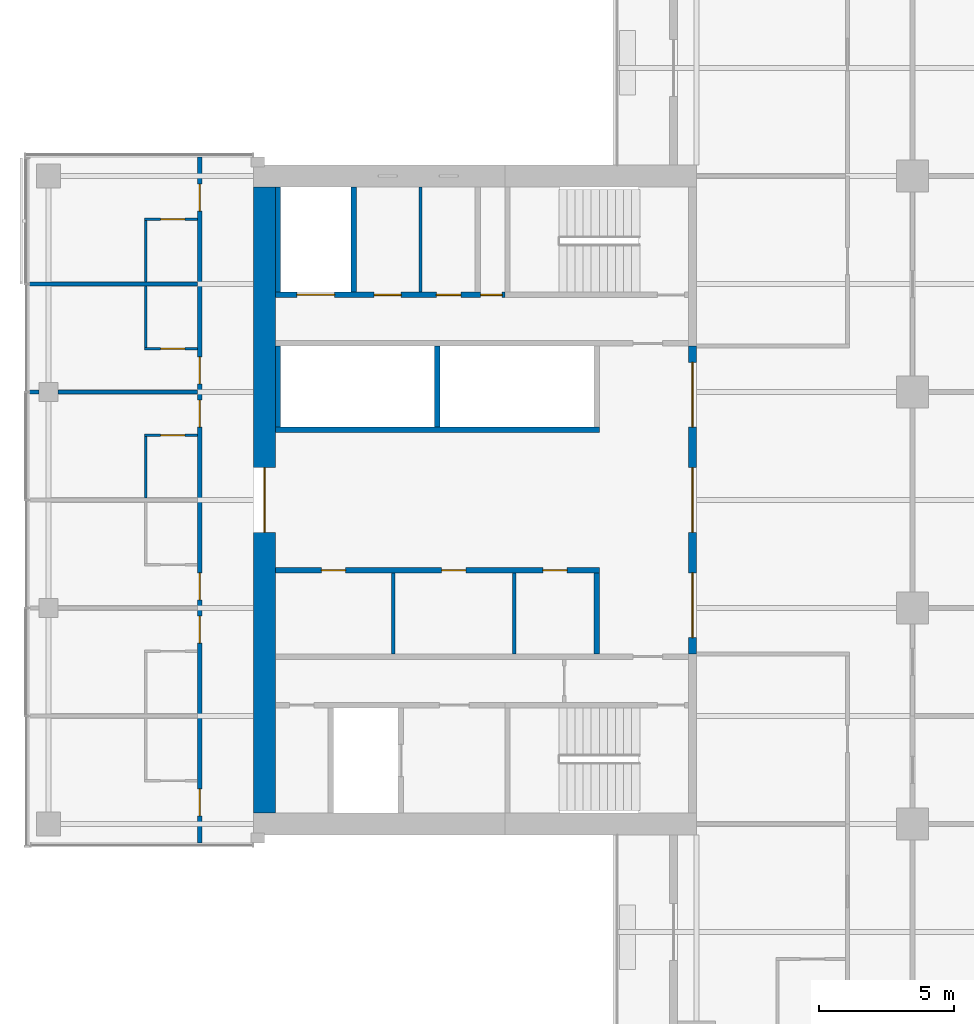
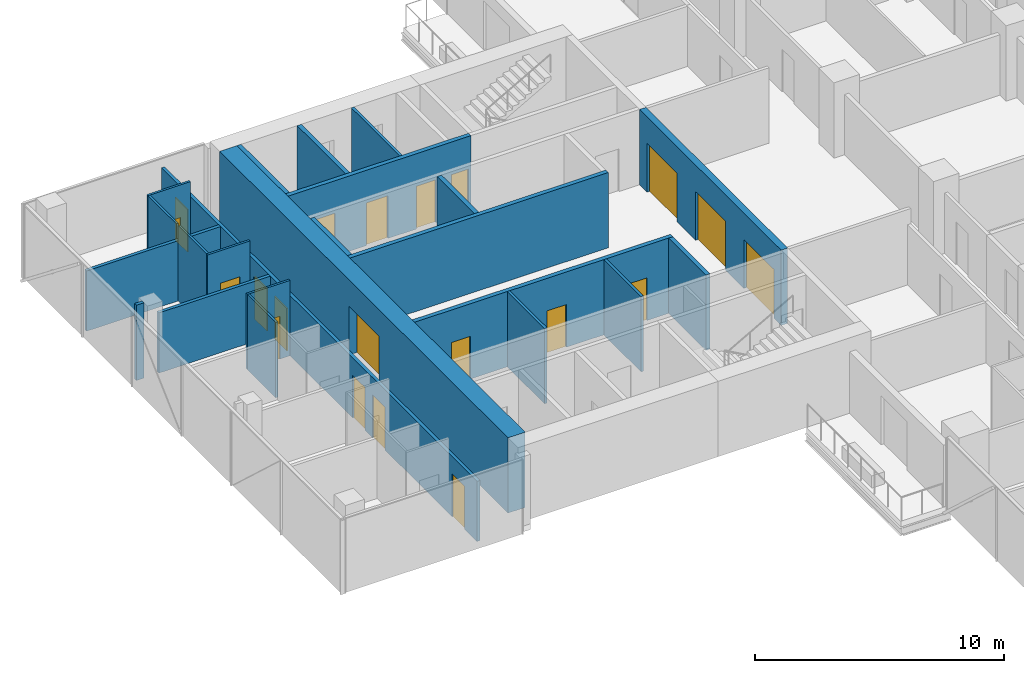
# One storey, part 18 of 27: 23 walls, 20 doors, 20 openings.
"""IFC4 building model written with IfcOpenShell, lengths in metres."""

from ifc_helpers import new_model, si_unit, direction, frame, frame_2d, origin, place, context, subcontext, project, spatial, rectangle, extrude, material, layer, layer_set, type_object, element, fill, save


model = new_model("IFC4")

# Units and contexts
model_context = context("Model", 3, precision=1e-05, world=origin(), true_north=direction((0.0, 1.0)))
body_context = subcontext(model_context, "Body", "Model", "MODEL_VIEW")
ifc_project = project(units=[si_unit("LENGTHUNIT", "METRE"), si_unit("AREAUNIT", "SQUARE_METRE"), si_unit("VOLUMEUNIT", "CUBIC_METRE"), si_unit("PLANEANGLEUNIT", "RADIAN"), si_unit("MASSUNIT", "GRAM", prefix="KILO")], contexts=[model_context])

# Site, building, storey
site_placement = place(None, origin())
site = spatial("IfcSite", under=ifc_project, at=site_placement, CompositionType="ELEMENT")
building_placement = place(site_placement, origin())
building = spatial("IfcBuilding", under=site, at=building_placement, Name="Crosswind Convention Tower", CompositionType="ELEMENT")
storey_placement = place(building_placement, frame((0.0, 0.0, 68.300048828125)))
storey = spatial("IfcBuildingStorey", under=building, at=storey_placement, Name="L11", CompositionType="ELEMENT", Elevation=68.300048828125)

# Wall, opening, door
ifc_material_1 = material(Name="Concrete C60/75", Category="concrete")
ifc_layer_1 = layer(ifc_material_1, 0.800048828125)
ifc_layer_set_1 = layer_set([ifc_layer_1], Name="Concrete C60/75")
wall_type_1 = type_object("IfcWallType", Name="Concrete core wall 800", PredefinedType="SHEAR", material=ifc_layer_set_1)
wall_1_placement = place(storey_placement, frame((97.0, 111.60009765625, 0.0), z_axis=(0.0, 0.0, 1.0), x_axis=(0.0, -1.0, 0.0)))
wall_1 = element("IfcWall", 1, at=wall_1_placement, inside=storey, type_object=wall_type_1, Name="Wall O W L11", PredefinedType="SHEAR", context=body_context, shape_type="SweptSolid", body=[
    extrude(rectangle(XDim=23.2001953125, YDim=0.800048828125, at=frame_2d((11.60009765625, 0.0))), origin(), (0.0, 0.0, 1.0), 3.699951171875),
])
opening_1_placement = place(wall_1_placement, frame((10.39990234375, 0.0, 0.0)))
opening_1 = element("IfcOpeningElement", 2, at=opening_1_placement, cuts=wall_1, Name="Opening D100", PredefinedType="OPENING", context=body_context, shape_type="SweptSolid", body=[
    extrude(rectangle(XDim=2.39990234375, YDim=2.39990234375, at=frame_2d((1.199951171875, 1.199951171875))), frame((0.0, 0.409912109375, 0.0), z_axis=(0.0, -1.0, 0.0), x_axis=(1.0, 0.0, 0.0)), (0.0, 0.0, 1.0), 0.820068359375),
])
ifc_material_2 = material(Name="Steel fire door with glazed vision panels", Category="steel")
door_type_1 = type_object("IfcDoorType", Name="Fire-rated double door 2400x2400", OperationType="DOUBLE_DOOR_SINGLE_SWING", PredefinedType="DOOR", material=ifc_material_2)
door_1_placement = place(opening_1_placement, origin())
door_1 = element("IfcDoor", 3, at=door_1_placement, inside=storey, type_object=door_type_1, Name="Lobby outer door L11", ObjectType="D100", OperationType="DOUBLE_DOOR_SINGLE_SWING", OverallHeight=2.39990234375, OverallWidth=2.39990234375, PredefinedType="DOOR", context=body_context, shape_type="SweptSolid", body=[
    extrude(rectangle(XDim=2.39990234375, YDim=2.39990234375, at=frame_2d((1.199951171875, 1.199951171875))), frame((0.0, 0.02490234375, 0.0), z_axis=(0.0, -1.0, 0.0), x_axis=(1.0, 0.0, 0.0)), (0.0, 0.0, 1.0), 0.050048828125),
])
fill(opening_1, door_1)

# Wall, openings, doors
ifc_material_3 = material(Name="Concrete C50/60", Category="concrete")
ifc_layer_2 = layer(ifc_material_3, 0.300048828125)
ifc_layer_set_2 = layer_set([ifc_layer_2], Name="Concrete C50/60")
wall_type_2 = type_object("IfcWallType", Name="Concrete inner core wall 300", PredefinedType="SHEAR", material=ifc_layer_set_2)
wall_2_placement = place(storey_placement, frame((112.85009765625, 105.699951171875, 0.0), z_axis=(0.0, 0.0, 1.0), x_axis=(0.0, -1.0, 0.0)))
wall_2 = element("IfcWall", 4, at=wall_2_placement, inside=storey, type_object=wall_type_2, Name="Wall SCR W L11", PredefinedType="SHEAR", context=body_context, shape_type="SweptSolid", body=[
    extrude(rectangle(XDim=11.39990234375, YDim=0.300048828125, at=frame_2d((5.699951171875, 0.0))), origin(), (0.0, 0.0, 1.0), 3.699951171875),
])
opening_2_placement = place(wall_2_placement, frame((0.60009765625, 0.0, 0.0)))
opening_2 = element("IfcOpeningElement", 5, at=opening_2_placement, cuts=wall_2, Name="Opening D100", PredefinedType="OPENING", context=body_context, shape_type="SweptSolid", body=[
    extrude(rectangle(XDim=2.39990234375, YDim=2.39990234375, at=frame_2d((1.199951171875, 1.199951171875))), frame((0.0, 0.159912109375, 0.0), z_axis=(0.0, -1.0, 0.0), x_axis=(1.0, 0.0, 0.0)), (0.0, 0.0, 1.0), 0.320068359375),
])
opening_3_placement = place(wall_2_placement, frame((4.5, 0.0, 0.0)))
opening_3 = element("IfcOpeningElement", 6, at=opening_3_placement, cuts=wall_2, Name="Opening D100", PredefinedType="OPENING", context=body_context, shape_type="SweptSolid", body=[
    extrude(rectangle(XDim=2.39990234375, YDim=2.39990234375, at=frame_2d((1.199951171875, 1.199951171875))), frame((0.0, 0.159912109375, 0.0), z_axis=(0.0, -1.0, 0.0), x_axis=(1.0, 0.0, 0.0)), (0.0, 0.0, 1.0), 0.320068359375),
])
opening_4_placement = place(wall_2_placement, frame((8.39990234375, 0.0, 0.0)))
opening_4 = element("IfcOpeningElement", 7, at=opening_4_placement, cuts=wall_2, Name="Opening D100", PredefinedType="OPENING", context=body_context, shape_type="SweptSolid", body=[
    extrude(rectangle(XDim=2.39990234375, YDim=2.39990234375, at=frame_2d((1.199951171875, 1.199951171875))), frame((0.0, 0.159912109375, 0.0), z_axis=(0.0, -1.0, 0.0), x_axis=(1.0, 0.0, 0.0)), (0.0, 0.0, 1.0), 0.320068359375),
])
door_2_placement = place(opening_2_placement, origin())
door_2 = element("IfcDoor", 8, at=door_2_placement, inside=storey, type_object=door_type_1, Name="Lobby door 1 L11", ObjectType="D100", OperationType="DOUBLE_DOOR_SINGLE_SWING", OverallHeight=2.39990234375, OverallWidth=2.39990234375, PredefinedType="DOOR", context=body_context, shape_type="SweptSolid", body=[
    extrude(rectangle(XDim=2.39990234375, YDim=2.39990234375, at=frame_2d((1.199951171875, 1.199951171875))), frame((0.0, 0.02490234375, 0.0), z_axis=(0.0, -1.0, 0.0), x_axis=(1.0, 0.0, 0.0)), (0.0, 0.0, 1.0), 0.050048828125),
])
fill(opening_2, door_2)
door_3_placement = place(opening_3_placement, origin())
door_3 = element("IfcDoor", 9, at=door_3_placement, inside=storey, type_object=door_type_1, Name="Lobby door 2 L11", ObjectType="D100", OperationType="DOUBLE_DOOR_SINGLE_SWING", OverallHeight=2.39990234375, OverallWidth=2.39990234375, PredefinedType="DOOR", context=body_context, shape_type="SweptSolid", body=[
    extrude(rectangle(XDim=2.39990234375, YDim=2.39990234375, at=frame_2d((1.199951171875, 1.199951171875))), frame((0.0, 0.02490234375, 0.0), z_axis=(0.0, -1.0, 0.0), x_axis=(1.0, 0.0, 0.0)), (0.0, 0.0, 1.0), 0.050048828125),
])
fill(opening_3, door_3)
door_4_placement = place(opening_4_placement, origin())
door_4 = element("IfcDoor", 10, at=door_4_placement, inside=storey, type_object=door_type_1, Name="Lobby door 3 L11", ObjectType="D100", OperationType="DOUBLE_DOOR_SINGLE_SWING", OverallHeight=2.39990234375, OverallWidth=2.39990234375, PredefinedType="DOOR", context=body_context, shape_type="SweptSolid", body=[
    extrude(rectangle(XDim=2.39990234375, YDim=2.39990234375, at=frame_2d((1.199951171875, 1.199951171875))), frame((0.0, 0.02490234375, 0.0), z_axis=(0.0, -1.0, 0.0), x_axis=(1.0, 0.0, 0.0)), (0.0, 0.0, 1.0), 0.050048828125),
])
fill(opening_4, door_4)

# Wall
ifc_layer_3 = layer(ifc_material_3, 0.199951171875)
ifc_layer_set_3 = layer_set([ifc_layer_3], Name="Concrete C50/60")
wall_type_3 = type_object("IfcWallType", Name="Concrete shaft and stair wall 200", PredefinedType="SHEAR", material=ifc_layer_set_3)
wall_3_placement = place(storey_placement, frame((109.300048828125, 97.300048828125, 0.0), z_axis=(0.0, 0.0, 1.0), x_axis=(0.0, -1.0, 0.0)))
element("IfcWall", 11, at=wall_3_placement, inside=storey, type_object=wall_type_3, Name="Wall RPEND W L11", PredefinedType="SHEAR", context=body_context, shape_type="SweptSolid", body=[
    extrude(rectangle(XDim=3.0, YDim=0.199951171875, at=frame_2d((1.5, 0.0))), origin(), (0.0, 0.0, 1.0), 3.699951171875),
])

# Wall, openings, doors
wall_4_placement = place(storey_placement, frame((109.39990234375, 97.39990234375, 0.0), z_axis=(0.0, 0.0, 1.0), x_axis=(-1.0, 0.0, 0.0)))
wall_4 = element("IfcWall", 12, at=wall_4_placement, inside=storey, type_object=wall_type_3, Name="Wall RPFRONT W L11", PredefinedType="SHEAR", context=body_context, shape_type="SweptSolid", body=[
    extrude(rectangle(XDim=12.0, YDim=0.199951171875, at=frame_2d((6.0, 0.0))), origin(), (0.0, 0.0, 1.0), 3.699951171875),
])
opening_5_placement = place(wall_4_placement, frame((1.19384765625, 0.0, 0.0)))
opening_5 = element("IfcOpeningElement", 13, at=opening_5_placement, cuts=wall_4, Name="Opening D106", PredefinedType="OPENING", context=body_context, shape_type="SweptSolid", body=[
    extrude(rectangle(XDim=0.89990234375, YDim=2.10009765625, at=frame_2d((0.449951171875, 1.050048828125))), frame((0.0, 0.10986328125, 0.0), z_axis=(0.0, -1.0, 0.0), x_axis=(1.0, 0.0, 0.0)), (0.0, 0.0, 1.0), 0.219970703125),
])
opening_6_placement = place(wall_4_placement, frame((4.94189453125, 0.0, 0.0)))
opening_6 = element("IfcOpeningElement", 14, at=opening_6_placement, cuts=wall_4, Name="Opening D106", PredefinedType="OPENING", context=body_context, shape_type="SweptSolid", body=[
    extrude(rectangle(XDim=0.89990234375, YDim=2.10009765625, at=frame_2d((0.449951171875, 1.050048828125))), frame((0.0, 0.10986328125, 0.0), z_axis=(0.0, -1.0, 0.0), x_axis=(1.0, 0.0, 0.0)), (0.0, 0.0, 1.0), 0.219970703125),
])
opening_7_placement = place(wall_4_placement, frame((9.398193359375, 0.0, 0.0)))
opening_7 = element("IfcOpeningElement", 15, at=opening_7_placement, cuts=wall_4, Name="Opening D106", PredefinedType="OPENING", context=body_context, shape_type="SweptSolid", body=[
    extrude(rectangle(XDim=0.89990234375, YDim=2.10009765625, at=frame_2d((0.449951171875, 1.050048828125))), frame((0.0, 0.10986328125, 0.0), z_axis=(0.0, -1.0, 0.0), x_axis=(1.0, 0.0, 0.0)), (0.0, 0.0, 1.0), 0.219970703125),
])
ifc_material_4 = material(Name="Timber door", Category="wood")
door_type_2 = type_object("IfcDoorType", Name="Single leaf door 900x2100", OperationType="NOTDEFINED", PredefinedType="DOOR", material=ifc_material_4)
door_5_placement = place(opening_5_placement, origin())
door_5 = element("IfcDoor", 16, at=door_5_placement, inside=storey, type_object=door_type_2, Name="Door to meeting room L11", ObjectType="D106", OperationType="SINGLE_SWING_RIGHT", OverallHeight=2.10009765625, OverallWidth=0.89990234375, PredefinedType="DOOR", context=body_context, shape_type="SweptSolid", body=[
    extrude(rectangle(XDim=0.89990234375, YDim=2.10009765625, at=frame_2d((0.449951171875, 1.050048828125))), frame((0.0, 0.02490234375, 0.0), z_axis=(0.0, -1.0, 0.0), x_axis=(1.0, 0.0, 0.0)), (0.0, 0.0, 1.0), 0.050048828125),
])
fill(opening_5, door_5)
door_6_placement = place(opening_6_placement, origin())
door_6 = element("IfcDoor", 17, at=door_6_placement, inside=storey, type_object=door_type_2, Name="Door to business centre L11", ObjectType="D106", OperationType="SINGLE_SWING_RIGHT", OverallHeight=2.10009765625, OverallWidth=0.89990234375, PredefinedType="DOOR", context=body_context, shape_type="SweptSolid", body=[
    extrude(rectangle(XDim=0.89990234375, YDim=2.10009765625, at=frame_2d((0.449951171875, 1.050048828125))), frame((0.0, 0.02490234375, 0.0), z_axis=(0.0, -1.0, 0.0), x_axis=(1.0, 0.0, 0.0)), (0.0, 0.0, 1.0), 0.050048828125),
])
fill(opening_6, door_6)
door_7_placement = place(opening_7_placement, origin())
door_7 = element("IfcDoor", 18, at=door_7_placement, inside=storey, type_object=door_type_2, Name="Door to ice and vending room L11", ObjectType="D106", OperationType="SINGLE_SWING_RIGHT", OverallHeight=2.10009765625, OverallWidth=0.89990234375, PredefinedType="DOOR", context=body_context, shape_type="SweptSolid", body=[
    extrude(rectangle(XDim=0.89990234375, YDim=2.10009765625, at=frame_2d((0.449951171875, 1.050048828125))), frame((0.0, 0.02490234375, 0.0), z_axis=(0.0, -1.0, 0.0), x_axis=(1.0, 0.0, 0.0)), (0.0, 0.0, 1.0), 0.050048828125),
])
fill(opening_7, door_7)

# Walls
for number, where, z_axis, x_axis, name in (
    (19, (103.39990234375, 105.699951171875, 0.0), (0.0, 0.0, 1.0), (0.0, -1.0, 0.0), "Wall RMSEP W L11"),
    (20, (97.5, 105.699951171875, 0.0), (0.0, 0.0, 1.0), (0.0, -1.0, 0.0), "Wall RMEAST W L11"),
):
    element("IfcWall", number, at=place(storey_placement, frame(where, z_axis=z_axis, x_axis=x_axis)), inside=storey, type_object=wall_type_3, Name=name, PredefinedType="SHEAR", context=body_context, shape_type="SweptSolid", body=[
        extrude(rectangle(XDim=3.0, YDim=0.199951171875, at=frame_2d((1.5, 0.0))), origin(), (0.0, 0.0, 1.0), 3.699951171875),
    ])
wall_5_placement = place(storey_placement, frame((109.39990234375, 102.60009765625, 0.0), z_axis=(0.0, 0.0, 1.0), x_axis=(-1.0, 0.0, 0.0)))
element("IfcWall", 21, at=wall_5_placement, inside=storey, type_object=wall_type_3, Name="Wall RMFRONT W L11", PredefinedType="SHEAR", context=body_context, shape_type="SweptSolid", body=[
    extrude(rectangle(XDim=12.0, YDim=0.199951171875, at=frame_2d((6.0, 0.0))), origin(), (0.0, 0.0, 1.0), 3.699951171875),
])
for number, where, z_axis, x_axis, name in (
    (22, (100.300048828125, 111.60009765625, 0.0), (0.0, 0.0, 1.0), (0.0, -1.0, 0.0), "Wall MFSW W L11"),
    (23, (97.5, 111.60009765625, 0.0), (0.0, 0.0, 1.0), (0.0, -1.0, 0.0), "Wall MFSE W L11"),
):
    element("IfcWall", number, at=place(storey_placement, frame(where, z_axis=z_axis, x_axis=x_axis)), inside=storey, type_object=wall_type_3, Name=name, PredefinedType="SHEAR", context=body_context, shape_type="SweptSolid", body=[
        extrude(rectangle(XDim=3.900146484375, YDim=0.199951171875, at=frame_2d((1.9501953125, 0.0))), origin(), (0.0, 0.0, 1.0), 3.699951171875),
    ])

# Wall, openings, doors
wall_6_placement = place(storey_placement, frame((105.89990234375, 107.60009765625, 0.0), z_axis=(0.0, 0.0, 1.0), x_axis=(-1.0, 0.0, 0.0)))
wall_6 = element("IfcWall", 24, at=wall_6_placement, inside=storey, type_object=wall_type_3, Name="Wall MCX W L11", PredefinedType="SHEAR", context=body_context, shape_type="SweptSolid", body=[
    extrude(rectangle(XDim=8.5, YDim=0.199951171875, at=frame_2d((4.25, 0.0))), origin(), (0.0, 0.0, 1.0), 3.699951171875),
])
opening_8_placement = place(wall_6_placement, frame((0.10009765625, 0.0, 0.0)))
opening_8 = element("IfcOpeningElement", 25, at=opening_8_placement, cuts=wall_6, Name="Opening D105", PredefinedType="OPENING", context=body_context, shape_type="SweptSolid", body=[
    extrude(rectangle(XDim=0.800048828125, YDim=2.10009765625, at=frame_2d((0.39990234375, 1.050048828125))), frame((0.0, 0.10986328125, 0.0), z_axis=(0.0, -1.0, 0.0), x_axis=(1.0, 0.0, 0.0)), (0.0, 0.0, 1.0), 0.219970703125),
])
opening_9_placement = place(wall_6_placement, frame((1.630859375, 0.0, 0.0)))
opening_9 = element("IfcOpeningElement", 26, at=opening_9_placement, cuts=wall_6, Name="Opening D106", PredefinedType="OPENING", context=body_context, shape_type="SweptSolid", body=[
    extrude(rectangle(XDim=0.89990234375, YDim=2.10009765625, at=frame_2d((0.449951171875, 1.050048828125))), frame((0.0, 0.10986328125, 0.0), z_axis=(0.0, -1.0, 0.0), x_axis=(1.0, 0.0, 0.0)), (0.0, 0.0, 1.0), 0.219970703125),
])
opening_10_placement = place(wall_6_placement, frame((3.84326171875, 0.0, 0.0)))
opening_10 = element("IfcOpeningElement", 27, at=opening_10_placement, cuts=wall_6, Name="Opening D103", PredefinedType="OPENING", context=body_context, shape_type="SweptSolid", body=[
    extrude(rectangle(XDim=1.0, YDim=2.10009765625, at=frame_2d((0.5, 1.050048828125))), frame((0.0, 0.10986328125, 0.0), z_axis=(0.0, -1.0, 0.0), x_axis=(1.0, 0.0, 0.0)), (0.0, 0.0, 1.0), 0.219970703125),
])
opening_11_placement = place(wall_6_placement, frame((6.300048828125, 0.0, 0.0)))
opening_11 = element("IfcOpeningElement", 28, at=opening_11_placement, cuts=wall_6, Name="Opening LD2", PredefinedType="OPENING", context=body_context, shape_type="SweptSolid", body=[
    extrude(rectangle(XDim=1.39990234375, YDim=2.10009765625, at=frame_2d((0.699951171875, 1.050048828125))), frame((0.0, 0.10986328125, 0.0), z_axis=(0.0, -1.0, 0.0), x_axis=(1.0, 0.0, 0.0)), (0.0, 0.0, 1.0), 0.219970703125),
])
ifc_material_5 = material(Name="Steel fire door", Category="steel")
door_type_3 = type_object("IfcDoorType", Name="Fire-rated single door 1000x2100", OperationType="NOTDEFINED", PredefinedType="DOOR", material=ifc_material_5)
door_8_placement = place(opening_10_placement, frame((1.0, 0.0, 0.0), z_axis=(0.0, 0.0, 1.0), x_axis=(-1.0, 0.0, 0.0)))
door_8 = element("IfcDoor", 29, at=door_8_placement, inside=storey, type_object=door_type_3, Name="Door to accessible wc L11", ObjectType="D103", OperationType="SINGLE_SWING_LEFT", OverallHeight=2.10009765625, OverallWidth=1.0, PredefinedType="DOOR", context=body_context, shape_type="SweptSolid", body=[
    extrude(rectangle(XDim=1.0, YDim=2.10009765625, at=frame_2d((0.5, 1.050048828125))), frame((0.0, 0.02490234375, 0.0), z_axis=(0.0, -1.0, 0.0), x_axis=(1.0, 0.0, 0.0)), (0.0, 0.0, 1.0), 0.050048828125),
])
fill(opening_10, door_8)
ifc_material_6 = material(Name="Stainless steel", Category="steel")
door_type_4 = type_object("IfcDoorType", Name="Lift landing door 1400x2100", OperationType="DOUBLE_DOOR_SLIDING", PredefinedType="DOOR", material=ifc_material_6)
door_9_placement = place(opening_11_placement, origin())
door_9 = element("IfcDoor", 30, at=door_9_placement, inside=storey, type_object=door_type_4, Name="Landing door SV2 L11", ObjectType="LD2", OperationType="DOUBLE_DOOR_SLIDING", OverallHeight=2.10009765625, OverallWidth=1.39990234375, PredefinedType="DOOR", context=body_context, shape_type="SweptSolid", body=[
    extrude(rectangle(XDim=1.39990234375, YDim=2.10009765625, at=frame_2d((0.699951171875, 1.050048828125))), frame((0.0, 0.02490234375, 0.0), z_axis=(0.0, -1.0, 0.0), x_axis=(1.0, 0.0, 0.0)), (0.0, 0.0, 1.0), 0.050048828125),
])
fill(opening_11, door_9)
door_type_5 = type_object("IfcDoorType", Name="Riser access door 800x2100", OperationType="NOTDEFINED", PredefinedType="DOOR", material=ifc_material_5)
door_10_placement = place(opening_8_placement, frame((0.800048828125, 0.0, 0.0), z_axis=(0.0, 0.0, 1.0), x_axis=(-1.0, 0.0, 0.0)))
door_10 = element("IfcDoor", 31, at=door_10_placement, inside=storey, type_object=door_type_5, Name="Riser door L11", ObjectType="D105", OperationType="SINGLE_SWING_LEFT", OverallHeight=2.10009765625, OverallWidth=0.800048828125, PredefinedType="DOOR", context=body_context, shape_type="SweptSolid", body=[
    extrude(rectangle(XDim=0.800048828125, YDim=2.10009765625, at=frame_2d((0.39990234375, 1.050048828125))), frame((0.0, 0.02490234375, 0.0), z_axis=(0.0, -1.0, 0.0), x_axis=(1.0, 0.0, 0.0)), (0.0, 0.0, 1.0), 0.050048828125),
])
fill(opening_8, door_10)
door_11_placement = place(opening_9_placement, frame((0.89990234375, 0.0, 0.0), z_axis=(0.0, 0.0, 1.0), x_axis=(-1.0, 0.0, 0.0)))
door_11 = element("IfcDoor", 32, at=door_11_placement, inside=storey, type_object=door_type_2, Name="Door to wc L11", ObjectType="D106", OperationType="SINGLE_SWING_LEFT", OverallHeight=2.10009765625, OverallWidth=0.89990234375, PredefinedType="DOOR", context=body_context, shape_type="SweptSolid", body=[
    extrude(rectangle(XDim=0.89990234375, YDim=2.10009765625, at=frame_2d((0.449951171875, 1.050048828125))), frame((0.0, 0.02490234375, 0.0), z_axis=(0.0, -1.0, 0.0), x_axis=(1.0, 0.0, 0.0)), (0.0, 0.0, 1.0), 0.050048828125),
])
fill(opening_9, door_11)

# Walls
ifc_material_7 = material(Name="Gypsum plasterboard partition", Category="gypsum")
ifc_layer_4 = layer(ifc_material_7, 0.125)
ifc_layer_set_4 = layer_set([ifc_layer_4], Name="Drywall partition wall 125")
wall_type_4 = type_object("IfcWallType", Name="Drywall partition wall 125", PredefinedType="PARTITIONING", material=ifc_layer_set_4)
for number, where, z_axis, x_axis, name in (
    (33, (106.25, 97.300048828125, 0.0), (0.0, 0.0, 1.0), (0.0, -1.0, 0.0), "Wall RPP1 W L11"),
    (34, (101.76611328125, 97.300048828125, 0.0), (0.0, 0.0, 1.0), (0.0, -1.0, 0.0), "Wall RPP2 W L11"),
):
    element("IfcWall", number, at=place(storey_placement, frame(where, z_axis=z_axis, x_axis=x_axis)), inside=storey, type_object=wall_type_4, Name=name, PredefinedType="PARTITIONING", context=body_context, shape_type="SweptSolid", body=[
        extrude(rectangle(XDim=3.0, YDim=0.125, at=frame_2d((1.5, 0.0))), origin(), (0.0, 0.0, 1.0), 3.699951171875),
    ])
wall_7_placement = place(storey_placement, frame((102.77587890625, 111.60009765625, 0.0), z_axis=(0.0, 0.0, 1.0), x_axis=(0.0, -1.0, 0.0)))
element("IfcWall", 35, at=wall_7_placement, inside=storey, type_object=wall_type_4, Name="Wall MWP1 W L11", PredefinedType="PARTITIONING", context=body_context, shape_type="SweptSolid", body=[
    extrude(rectangle(XDim=3.900146484375, YDim=0.125, at=frame_2d((1.9501953125, 0.0))), origin(), (0.0, 0.0, 1.0), 3.699951171875),
])
ifc_material_8 = material(Name="Acoustic plasterboard partition", Category="gypsum")
ifc_layer_5 = layer(ifc_material_8, 0.14990234375)
ifc_layer_set_5 = layer_set([ifc_layer_5], Name="GUEST ROOM WALL 150")
wall_type_5 = type_object("IfcWallType", Name="GUEST ROOM WALL 150", PredefinedType="PARTITIONING", material=ifc_layer_set_5)
wall_8_placement = place(storey_placement, frame((88.300048828125, 104.0, 0.0), z_axis=(0.0, 0.0, 1.0), x_axis=(1.0, 0.0, 0.0)))
element("IfcWall", 36, at=wall_8_placement, inside=storey, type_object=wall_type_5, Name="Guest Room Wall 38", PredefinedType="PARTITIONING", context=body_context, shape_type="SweptSolid", body=[
    extrude(rectangle(XDim=0.349853515625, YDim=0.14990234375, at=frame_2d((0.1748046875, 0.0))), origin(), (0.0, 0.0, 1.0), 3.699951171875),
])
wall_9_placement = place(storey_placement, frame((89.35009765625, 104.0, 0.0), z_axis=(0.0, 0.0, 1.0), x_axis=(1.0, 0.0, 0.0)))
element("IfcWall", 37, at=wall_9_placement, inside=storey, type_object=wall_type_5, Name="Guest Room Wall 39", PredefinedType="PARTITIONING", context=body_context, shape_type="SweptSolid", body=[
    extrude(rectangle(XDim=5.1748046875, YDim=0.14990234375, at=frame_2d((2.58740234375, 0.0))), origin(), (0.0, 0.0, 1.0), 2.956298828125),
])
wall_10_placement = place(storey_placement, frame((88.300048828125, 108.0, 0.0), z_axis=(0.0, 0.0, 1.0), x_axis=(1.0, 0.0, 0.0)))
element("IfcWall", 38, at=wall_10_placement, inside=storey, type_object=wall_type_5, Name="Guest Room Wall 47", PredefinedType="PARTITIONING", context=body_context, shape_type="SweptSolid", body=[
    extrude(rectangle(XDim=6.224853515625, YDim=0.14990234375, at=frame_2d((3.1123046875, 0.0))), origin(), (0.0, 0.0, 1.0), 2.962646484375),
])

# Wall, openings, doors
wall_11_placement = place(storey_placement, frame((94.60009765625, 87.300048828125, 0.0), z_axis=(0.0, 0.0, 1.0), x_axis=(0.0, 1.0, 0.0)))
wall_11 = element("IfcWall", 39, at=wall_11_placement, inside=storey, type_object=wall_type_5, Name="Guest Room Wall 74", PredefinedType="PARTITIONING", context=body_context, shape_type="SweptSolid", body=[
    extrude(rectangle(XDim=25.39990234375, YDim=0.14990234375, at=frame_2d((12.699951171875, 0.0))), origin(), (0.0, 0.0, 1.0), 2.956298828125),
])
opening_12_placement = place(wall_11_placement, frame((1.0, 0.0, 0.0)))
opening_12 = element("IfcOpeningElement", 40, at=opening_12_placement, cuts=wall_11, Name="Opening 11.045", PredefinedType="OPENING", context=body_context, shape_type="SweptSolid", body=[
    extrude(rectangle(XDim=1.0, YDim=2.10009765625, at=frame_2d((0.5, 1.050048828125))), frame((0.0, 0.0849609375, 0.0), z_axis=(0.0, -1.0, 0.0), x_axis=(1.0, 0.0, 0.0)), (0.0, 0.0, 1.0), 0.169921875),
])
opening_13_placement = place(wall_11_placement, frame((7.39990234375, 0.0, 0.0)))
opening_13 = element("IfcOpeningElement", 41, at=opening_13_placement, cuts=wall_11, Name="Opening 11.047", PredefinedType="OPENING", context=body_context, shape_type="SweptSolid", body=[
    extrude(rectangle(XDim=1.0, YDim=2.10009765625, at=frame_2d((0.5, 1.050048828125))), frame((0.0, 0.0849609375, 0.0), z_axis=(0.0, -1.0, 0.0), x_axis=(1.0, 0.0, 0.0)), (0.0, 0.0, 1.0), 0.169921875),
])
opening_14_placement = place(wall_11_placement, frame((9.0, 0.0, 0.0)))
opening_14 = element("IfcOpeningElement", 42, at=opening_14_placement, cuts=wall_11, Name="Opening 11.049", PredefinedType="OPENING", context=body_context, shape_type="SweptSolid", body=[
    extrude(rectangle(XDim=1.0, YDim=2.10009765625, at=frame_2d((0.5, 1.050048828125))), frame((0.0, 0.0849609375, 0.0), z_axis=(0.0, -1.0, 0.0), x_axis=(1.0, 0.0, 0.0)), (0.0, 0.0, 1.0), 0.169921875),
])
opening_15_placement = place(wall_11_placement, frame((15.39990234375, 0.0, 0.0)))
opening_15 = element("IfcOpeningElement", 43, at=opening_15_placement, cuts=wall_11, Name="Opening 11.051", PredefinedType="OPENING", context=body_context, shape_type="SweptSolid", body=[
    extrude(rectangle(XDim=1.0, YDim=2.10009765625, at=frame_2d((0.5, 1.050048828125))), frame((0.0, 0.0849609375, 0.0), z_axis=(0.0, -1.0, 0.0), x_axis=(1.0, 0.0, 0.0)), (0.0, 0.0, 1.0), 0.169921875),
])
opening_16_placement = place(wall_11_placement, frame((17.0, 0.0, 0.0)))
opening_16 = element("IfcOpeningElement", 44, at=opening_16_placement, cuts=wall_11, Name="Opening 11.053", PredefinedType="OPENING", context=body_context, shape_type="SweptSolid", body=[
    extrude(rectangle(XDim=1.0, YDim=2.10009765625, at=frame_2d((0.5, 1.050048828125))), frame((0.0, 0.0849609375, 0.0), z_axis=(0.0, -1.0, 0.0), x_axis=(1.0, 0.0, 0.0)), (0.0, 0.0, 1.0), 0.169921875),
])
opening_17_placement = place(wall_11_placement, frame((23.39990234375, 0.0, 0.0)))
opening_17 = element("IfcOpeningElement", 45, at=opening_17_placement, cuts=wall_11, Name="Opening 11.055", PredefinedType="OPENING", context=body_context, shape_type="SweptSolid", body=[
    extrude(rectangle(XDim=1.0, YDim=2.10009765625, at=frame_2d((0.5, 1.050048828125))), frame((0.0, 0.0849609375, 0.0), z_axis=(0.0, -1.0, 0.0), x_axis=(1.0, 0.0, 0.0)), (0.0, 0.0, 1.0), 0.169921875),
])
ifc_material_9 = material(Name="Timber fire door", Category="wood")
door_type_6 = type_object("IfcDoorType", Name="GUEST ROOM DOOR 1000X2100", OperationType="NOTDEFINED", PredefinedType="DOOR", material=ifc_material_9)
door_12_placement = place(opening_12_placement, origin())
door_12 = element("IfcDoor", 46, at=door_12_placement, inside=storey, type_object=door_type_6, Name="Door 11.045", ObjectType="D1", OperationType="SINGLE_SWING_RIGHT", OverallHeight=2.10009765625, OverallWidth=1.0, PredefinedType="DOOR", context=body_context, shape_type="SweptSolid", body=[
    extrude(rectangle(XDim=1.0, YDim=2.10009765625, at=frame_2d((0.5, 1.050048828125))), frame((0.0, 0.02490234375, 0.0), z_axis=(0.0, -1.0, 0.0), x_axis=(1.0, 0.0, 0.0)), (0.0, 0.0, 1.0), 0.050048828125),
])
fill(opening_12, door_12)
door_13_placement = place(opening_13_placement, origin())
door_13 = element("IfcDoor", 47, at=door_13_placement, inside=storey, type_object=door_type_6, Name="Door 11.047", ObjectType="D1", OperationType="SINGLE_SWING_RIGHT", OverallHeight=2.10009765625, OverallWidth=1.0, PredefinedType="DOOR", context=body_context, shape_type="SweptSolid", body=[
    extrude(rectangle(XDim=1.0, YDim=2.10009765625, at=frame_2d((0.5, 1.050048828125))), frame((0.0, 0.02490234375, 0.0), z_axis=(0.0, -1.0, 0.0), x_axis=(1.0, 0.0, 0.0)), (0.0, 0.0, 1.0), 0.050048828125),
])
fill(opening_13, door_13)
door_14_placement = place(opening_14_placement, origin())
door_14 = element("IfcDoor", 48, at=door_14_placement, inside=storey, type_object=door_type_6, Name="Door 11.049", ObjectType="D1", OperationType="SINGLE_SWING_RIGHT", OverallHeight=2.10009765625, OverallWidth=1.0, PredefinedType="DOOR", context=body_context, shape_type="SweptSolid", body=[
    extrude(rectangle(XDim=1.0, YDim=2.10009765625, at=frame_2d((0.5, 1.050048828125))), frame((0.0, 0.02490234375, 0.0), z_axis=(0.0, -1.0, 0.0), x_axis=(1.0, 0.0, 0.0)), (0.0, 0.0, 1.0), 0.050048828125),
])
fill(opening_14, door_14)
door_15_placement = place(opening_15_placement, origin())
door_15 = element("IfcDoor", 49, at=door_15_placement, inside=storey, type_object=door_type_6, Name="Door 11.051", ObjectType="D1", OperationType="SINGLE_SWING_RIGHT", OverallHeight=2.10009765625, OverallWidth=1.0, PredefinedType="DOOR", context=body_context, shape_type="SweptSolid", body=[
    extrude(rectangle(XDim=1.0, YDim=2.10009765625, at=frame_2d((0.5, 1.050048828125))), frame((0.0, 0.02490234375, 0.0), z_axis=(0.0, -1.0, 0.0), x_axis=(1.0, 0.0, 0.0)), (0.0, 0.0, 1.0), 0.050048828125),
])
fill(opening_15, door_15)
door_16_placement = place(opening_16_placement, origin())
door_16 = element("IfcDoor", 50, at=door_16_placement, inside=storey, type_object=door_type_6, Name="Door 11.053", ObjectType="D1", OperationType="SINGLE_SWING_RIGHT", OverallHeight=2.10009765625, OverallWidth=1.0, PredefinedType="DOOR", context=body_context, shape_type="SweptSolid", body=[
    extrude(rectangle(XDim=1.0, YDim=2.10009765625, at=frame_2d((0.5, 1.050048828125))), frame((0.0, 0.02490234375, 0.0), z_axis=(0.0, -1.0, 0.0), x_axis=(1.0, 0.0, 0.0)), (0.0, 0.0, 1.0), 0.050048828125),
])
fill(opening_16, door_16)
door_17_placement = place(opening_17_placement, origin())
door_17 = element("IfcDoor", 51, at=door_17_placement, inside=storey, type_object=door_type_6, Name="Door 11.055", ObjectType="D1", OperationType="SINGLE_SWING_LEFT", OverallHeight=2.10009765625, OverallWidth=1.0, PredefinedType="DOOR", context=body_context, shape_type="SweptSolid", body=[
    extrude(rectangle(XDim=1.0, YDim=2.10009765625, at=frame_2d((0.5, 1.050048828125))), frame((0.0, 0.02490234375, 0.0), z_axis=(0.0, -1.0, 0.0), x_axis=(1.0, 0.0, 0.0)), (0.0, 0.0, 1.0), 0.050048828125),
])
fill(opening_17, door_17)

# Wall, opening, door
ifc_material_10 = material(Name="Water-resistant plasterboard partition", Category="gypsum")
ifc_layer_6 = layer(ifc_material_10, 0.10009765625)
ifc_layer_set_6 = layer_set([ifc_layer_6], Name="WET ROOM PARTITION 100")
wall_type_6 = type_object("IfcWallType", Name="WET ROOM PARTITION 100", PredefinedType="PLUMBINGWALL", material=ifc_layer_set_6)
wall_12_placement = place(storey_placement, frame((92.550048828125, 102.39990234375, 0.0), z_axis=(0.0, 0.0, 1.0), x_axis=(1.0, 0.0, 0.0)))
wall_12 = element("IfcWall", 52, at=wall_12_placement, inside=storey, type_object=wall_type_6, Name="Wet Room Partition 37", PredefinedType="PLUMBINGWALL", context=body_context, shape_type="SweptSolid", body=[
    extrude(rectangle(XDim=1.974853515625, YDim=0.10009765625, at=frame_2d((0.9873046875, 0.0))), origin(), (0.0, 0.0, 1.0), 3.699951171875),
])
opening_18_placement = place(wall_12_placement, frame((0.60009765625, 0.0, 0.0)))
opening_18 = element("IfcOpeningElement", 53, at=opening_18_placement, cuts=wall_12, Name="Opening 11.052", PredefinedType="OPENING", context=body_context, shape_type="SweptSolid", body=[
    extrude(rectangle(XDim=0.89990234375, YDim=2.10009765625, at=frame_2d((0.449951171875, 1.050048828125))), frame((0.0, 0.06005859375, 0.0), z_axis=(0.0, -1.0, 0.0), x_axis=(1.0, 0.0, 0.0)), (0.0, 0.0, 1.0), 0.1201171875),
])
door_type_7 = type_object("IfcDoorType", Name="EN-SUITE DOOR 900X2100", OperationType="NOTDEFINED", PredefinedType="DOOR", material=ifc_material_4)
door_18_placement = place(opening_18_placement, frame((0.89990234375, 0.0, 0.0), z_axis=(0.0, 0.0, 1.0), x_axis=(-1.0, 0.0, 0.0)))
door_18 = element("IfcDoor", 54, at=door_18_placement, inside=storey, type_object=door_type_7, Name="Door 11.052", ObjectType="D2", OperationType="SINGLE_SWING_LEFT", OverallHeight=2.10009765625, OverallWidth=0.89990234375, PredefinedType="DOOR", context=body_context, shape_type="SweptSolid", body=[
    extrude(rectangle(XDim=0.89990234375, YDim=2.10009765625, at=frame_2d((0.449951171875, 1.050048828125))), frame((0.0, 0.02490234375, 0.0), z_axis=(0.0, -1.0, 0.0), x_axis=(1.0, 0.0, 0.0)), (0.0, 0.0, 1.0), 0.050048828125),
])
fill(opening_18, door_18)

wall_13_placement = place(storey_placement, frame((92.550048828125, 105.60009765625, 0.0), z_axis=(0.0, 0.0, 1.0), x_axis=(1.0, 0.0, 0.0)))
wall_13 = element("IfcWall", 55, at=wall_13_placement, inside=storey, type_object=wall_type_6, Name="Wet Room Partition 43", PredefinedType="PLUMBINGWALL", context=body_context, shape_type="SweptSolid", body=[
    extrude(rectangle(XDim=1.974853515625, YDim=0.10009765625, at=frame_2d((0.9873046875, 0.0))), origin(), (0.0, 0.0, 1.0), 3.699951171875),
])
opening_19_placement = place(wall_13_placement, frame((0.60009765625, 0.0, 0.0)))
opening_19 = element("IfcOpeningElement", 56, at=opening_19_placement, cuts=wall_13, Name="Opening 11.054", PredefinedType="OPENING", context=body_context, shape_type="SweptSolid", body=[
    extrude(rectangle(XDim=0.89990234375, YDim=2.10009765625, at=frame_2d((0.449951171875, 1.050048828125))), frame((0.0, 0.06005859375, 0.0), z_axis=(0.0, -1.0, 0.0), x_axis=(1.0, 0.0, 0.0)), (0.0, 0.0, 1.0), 0.1201171875),
])
door_19_placement = place(opening_19_placement, origin())
door_19 = element("IfcDoor", 57, at=door_19_placement, inside=storey, type_object=door_type_7, Name="Door 11.054", ObjectType="D2", OperationType="SINGLE_SWING_RIGHT", OverallHeight=2.10009765625, OverallWidth=0.89990234375, PredefinedType="DOOR", context=body_context, shape_type="SweptSolid", body=[
    extrude(rectangle(XDim=0.89990234375, YDim=2.10009765625, at=frame_2d((0.449951171875, 1.050048828125))), frame((0.0, 0.02490234375, 0.0), z_axis=(0.0, -1.0, 0.0), x_axis=(1.0, 0.0, 0.0)), (0.0, 0.0, 1.0), 0.050048828125),
])
fill(opening_19, door_19)

wall_14_placement = place(storey_placement, frame((92.550048828125, 110.39990234375, 0.0), z_axis=(0.0, 0.0, 1.0), x_axis=(1.0, 0.0, 0.0)))
wall_14 = element("IfcWall", 58, at=wall_14_placement, inside=storey, type_object=wall_type_6, Name="Wet Room Partition 50", PredefinedType="PLUMBINGWALL", context=body_context, shape_type="SweptSolid", body=[
    extrude(rectangle(XDim=1.974853515625, YDim=0.10009765625, at=frame_2d((0.9873046875, 0.0))), origin(), (0.0, 0.0, 1.0), 3.699951171875),
])
opening_20_placement = place(wall_14_placement, frame((0.60009765625, 0.0, 0.0)))
opening_20 = element("IfcOpeningElement", 59, at=opening_20_placement, cuts=wall_14, Name="Opening 11.056", PredefinedType="OPENING", context=body_context, shape_type="SweptSolid", body=[
    extrude(rectangle(XDim=0.89990234375, YDim=2.10009765625, at=frame_2d((0.449951171875, 1.050048828125))), frame((0.0, 0.06005859375, 0.0), z_axis=(0.0, -1.0, 0.0), x_axis=(1.0, 0.0, 0.0)), (0.0, 0.0, 1.0), 0.1201171875),
])
door_20_placement = place(opening_20_placement, frame((0.89990234375, 0.0, 0.0), z_axis=(0.0, 0.0, 1.0), x_axis=(-1.0, 0.0, 0.0)))
door_20 = element("IfcDoor", 60, at=door_20_placement, inside=storey, type_object=door_type_7, Name="Door 11.056", ObjectType="D2", OperationType="SINGLE_SWING_LEFT", OverallHeight=2.10009765625, OverallWidth=0.89990234375, PredefinedType="DOOR", context=body_context, shape_type="SweptSolid", body=[
    extrude(rectangle(XDim=0.89990234375, YDim=2.10009765625, at=frame_2d((0.449951171875, 1.050048828125))), frame((0.0, 0.02490234375, 0.0), z_axis=(0.0, -1.0, 0.0), x_axis=(1.0, 0.0, 0.0)), (0.0, 0.0, 1.0), 0.050048828125),
])
fill(opening_20, door_20)

# Walls
for number, where, z_axis, x_axis, name in (
    (61, (92.60009765625, 100.074951171875, 0.0), (0.0, 0.0, 1.0), (0.0, 1.0, 0.0), "Wet Room Partition 71"),
    (62, (92.60009765625, 105.64990234375, 0.0), (0.0, 0.0, 1.0), (0.0, 1.0, 0.0), "Wet Room Partition 72"),
    (63, (92.60009765625, 108.074951171875, 0.0), (0.0, 0.0, 1.0), (0.0, 1.0, 0.0), "Wet Room Partition 73"),
):
    element("IfcWall", number, at=place(storey_placement, frame(where, z_axis=z_axis, x_axis=x_axis)), inside=storey, type_object=wall_type_6, Name=name, PredefinedType="PLUMBINGWALL", context=body_context, shape_type="SweptSolid", body=[
        extrude(rectangle(XDim=2.275146484375, YDim=0.10009765625, at=frame_2d((1.1376953125, 0.0))), origin(), (0.0, 0.0, 1.0), 3.699951171875),
    ])

save(model, "model.ifc")
